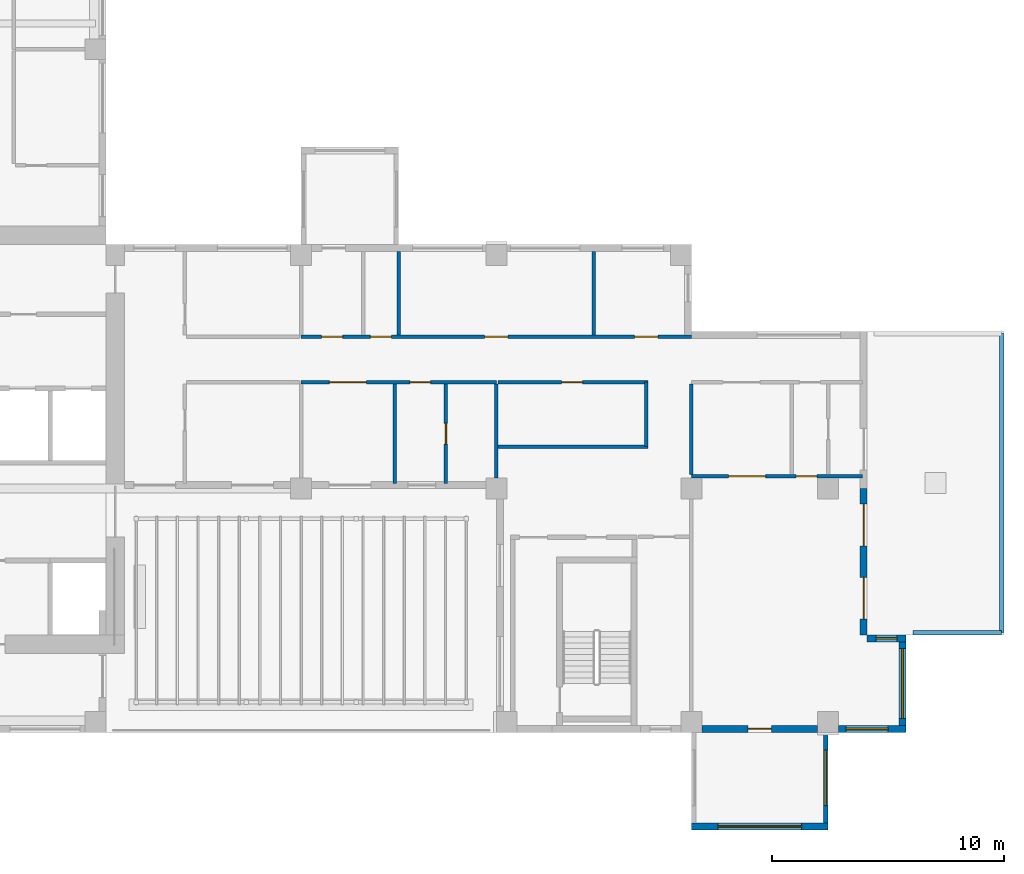
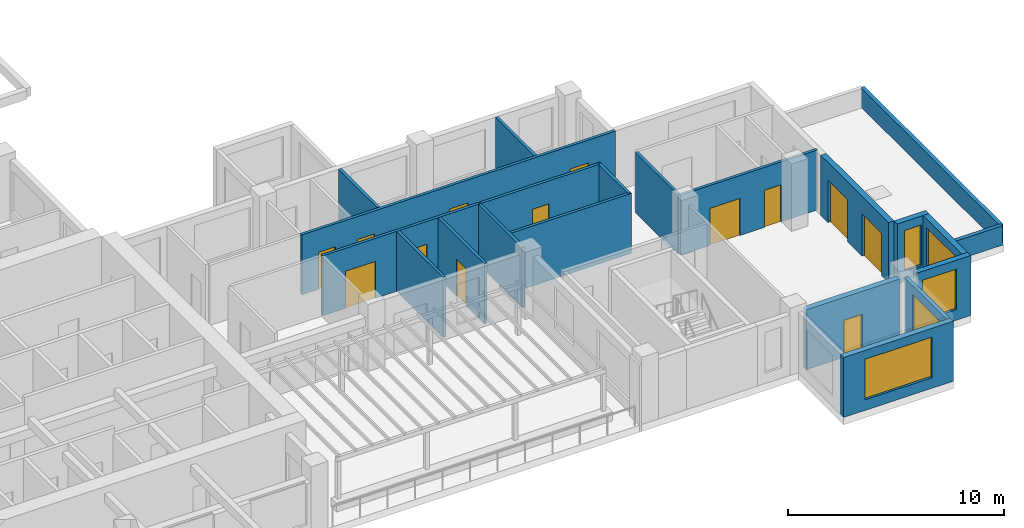
# One storey, part 6 of 13: 21 walls, 13 doors, 5 windows, 18 openings.
"""IFC4 building model written with IfcOpenShell, lengths in metres."""

from ifc_helpers import new_model, si_unit, direction, frame, frame_2d, origin, place, context, subcontext, project, spatial, rectangle, extrude, source, transform, mapped, material, layer, layer_set, type_object, element, fill, save


model = new_model("IFC4")

# Units and contexts
model_context = context("Model", 3, precision=1e-05, world=origin(), true_north=direction((0.0, 1.0)))
body_context = subcontext(model_context, "Body", "Model", "MODEL_VIEW")
ifc_project = project(units=[si_unit("LENGTHUNIT", "METRE"), si_unit("AREAUNIT", "SQUARE_METRE"), si_unit("VOLUMEUNIT", "CUBIC_METRE"), si_unit("PLANEANGLEUNIT", "RADIAN"), si_unit("MASSUNIT", "GRAM", prefix="KILO")], contexts=[model_context])

# Site, building, storey
site_placement = place(None, origin())
site = spatial("IfcSite", under=ifc_project, at=site_placement, CompositionType="ELEMENT")
building_placement = place(site_placement, origin())
building = spatial("IfcBuilding", under=site, at=building_placement, Name="Aurelian Terraces", CompositionType="ELEMENT")
storey_placement = place(building_placement, frame((0.0, 0.0, 204.4)))
storey = spatial("IfcBuildingStorey", under=building, at=storey_placement, Name="L45", CompositionType="ELEMENT", Elevation=204.4)

# Wall, openings, doors
ifc_material_1 = material(Name="Gypsum board on steel studs", Category="steel")
ifc_layer_1 = layer(ifc_material_1, 0.15)
ifc_layer_set_1 = layer_set([ifc_layer_1], Name="Fire partition 150")
wall_type_1 = type_object("IfcWallType", Name="Fire partition 150", PredefinedType="PARTITIONING", material=ifc_layer_set_1)
wall_1_placement = place(storey_placement, frame((29.4, 17.025, 0.0), z_axis=(0.0, 0.0, 1.0), x_axis=(1.0, 0.0, 0.0)))
wall_1 = element("IfcWall", 1, at=wall_1_placement, inside=storey, type_object=wall_type_1, Name="Corridor wall", PredefinedType="PARTITIONING", context=body_context, shape_type="SweptSolid", body=[
    extrude(rectangle(XDim=16.8, YDim=0.15, at=frame_2d((8.4, 0.0))), origin(), (0.0, 0.0, 1.0), 3.4),
])
shared_shape_1 = source(origin(), body_context, "Body", "SweptSolid", [
    extrude(rectangle(XDim=0.9, YDim=2.1, at=frame_2d((0.45, 1.05))), frame((0.0, 0.085, 0.0), z_axis=(0.0, -1.0, 0.0), x_axis=(1.0, 0.0, 0.0)), (0.0, 0.0, 1.0), 0.17),
])
opening_1_placement = place(wall_1_placement, frame((0.8835, 0.0, 0.0)))
opening_1 = element("IfcOpeningElement", 2, at=opening_1_placement, cuts=wall_1, Name="Opening 745011", PredefinedType="OPENING", context=body_context, shape_type="MappedRepresentation", body=[
    mapped(shared_shape_1, transform((0.0, 0.0, 0.0), scale=1.0)),
])
opening_2_placement = place(wall_1_placement, frame((2.9835, 0.0, 0.0)))
opening_2 = element("IfcOpeningElement", 3, at=opening_2_placement, cuts=wall_1, Name="Opening 745012", PredefinedType="OPENING", context=body_context, shape_type="MappedRepresentation", body=[
    mapped(shared_shape_1, transform((0.0, 0.0, 0.0), scale=1.0)),
])
shared_shape_2 = source(origin(), body_context, "Body", "SweptSolid", [
    extrude(rectangle(XDim=1.0, YDim=2.1, at=frame_2d((0.5, 1.05))), frame((0.0, 0.085, 0.0), z_axis=(0.0, -1.0, 0.0), x_axis=(1.0, 0.0, 0.0)), (0.0, 0.0, 1.0), 0.17),
])
opening_3_placement = place(wall_1_placement, frame((7.9, 0.0, 0.0)))
opening_3 = element("IfcOpeningElement", 4, at=opening_3_placement, cuts=wall_1, Name="Opening 745013", PredefinedType="OPENING", context=body_context, shape_type="MappedRepresentation", body=[
    mapped(shared_shape_2, transform((0.0, 0.0, 0.0), scale=1.0)),
])
opening_4_placement = place(wall_1_placement, frame((14.3538, 0.0, 0.0)))
opening_4 = element("IfcOpeningElement", 5, at=opening_4_placement, cuts=wall_1, Name="Opening 745014", PredefinedType="OPENING", context=body_context, shape_type="MappedRepresentation", body=[
    mapped(shared_shape_2, transform((0.0, 0.0, 0.0), scale=1.0)),
])
ifc_material_2 = material(Name="Steel door leaf", Category="steel")
door_type_1 = type_object("IfcDoorType", Name="Entrance fire door 1000x2100 left", OperationType="SINGLE_SWING_LEFT", PredefinedType="DOOR", material=ifc_material_2)
shared_shape_3 = source(origin(), body_context, "Body", "SweptSolid", [
    extrude(rectangle(XDim=1.0, YDim=2.1, at=frame_2d((0.5, 1.05))), frame((0.0, 0.025, 0.0), z_axis=(0.0, -1.0, 0.0), x_axis=(1.0, 0.0, 0.0)), (0.0, 0.0, 1.0), 0.05),
])
door_1_placement = place(opening_3_placement, origin())
door_1 = element("IfcDoor", 6, at=door_1_placement, inside=storey, type_object=door_type_1, Name="Door 745013", OperationType="SINGLE_SWING_LEFT", OverallHeight=2.1, OverallWidth=1.0, PredefinedType="DOOR", context=body_context, shape_type="MappedRepresentation", body=[
    mapped(shared_shape_3, transform((0.0, 0.0, 0.0), scale=1.0)),
])
fill(opening_3, door_1)
door_2_placement = place(opening_4_placement, origin())
door_2 = element("IfcDoor", 7, at=door_2_placement, inside=storey, type_object=door_type_1, Name="Door 745014", OperationType="SINGLE_SWING_LEFT", OverallHeight=2.1, OverallWidth=1.0, PredefinedType="DOOR", context=body_context, shape_type="MappedRepresentation", body=[
    mapped(shared_shape_3, transform((0.0, 0.0, 0.0), scale=1.0)),
])
fill(opening_4, door_2)
door_type_2 = type_object("IfcDoorType", Name="Entrance fire door 900x2100 left", OperationType="SINGLE_SWING_LEFT", PredefinedType="DOOR", material=ifc_material_2)
shared_shape_4 = source(origin(), body_context, "Body", "SweptSolid", [
    extrude(rectangle(XDim=0.9, YDim=2.1, at=frame_2d((0.45, 1.05))), frame((0.0, 0.025, 0.0), z_axis=(0.0, -1.0, 0.0), x_axis=(1.0, 0.0, 0.0)), (0.0, 0.0, 1.0), 0.05),
])
door_3_placement = place(opening_1_placement, origin())
door_3 = element("IfcDoor", 8, at=door_3_placement, inside=storey, type_object=door_type_2, Name="Door 745011", OperationType="SINGLE_SWING_LEFT", OverallHeight=2.1, OverallWidth=0.9, PredefinedType="DOOR", context=body_context, shape_type="MappedRepresentation", body=[
    mapped(shared_shape_4, transform((0.0, 0.0, 0.0), scale=1.0)),
])
fill(opening_1, door_3)
door_type_3 = type_object("IfcDoorType", Name="Entrance fire door 900x2100 right", OperationType="SINGLE_SWING_RIGHT", PredefinedType="DOOR", material=ifc_material_2)
door_4_placement = place(opening_2_placement, origin())
door_4 = element("IfcDoor", 9, at=door_4_placement, inside=storey, type_object=door_type_3, Name="Door 745012", OperationType="SINGLE_SWING_RIGHT", OverallHeight=2.1, OverallWidth=0.9, PredefinedType="DOOR", context=body_context, shape_type="MappedRepresentation", body=[
    mapped(shared_shape_4, transform((0.0, 0.0, 0.0), scale=1.0)),
])
fill(opening_2, door_4)

# Wall
ifc_material_3 = material(Name="Terracotta rainscreen cladding", Category="masonry")
ifc_layer_2 = layer(ifc_material_3, 0.2)
ifc_layer_set_2 = layer_set([ifc_layer_2], Name="PARAPET-200")
wall_type_2 = type_object("IfcWallType", Name="PARAPET-200", PredefinedType="PARAPET", material=ifc_layer_set_2)
wall_2_placement = place(storey_placement, frame((59.55, 17.16, 0.0), z_axis=(0.0, 0.0, 1.0), x_axis=(0.0, -1.0, 0.0)))
element("IfcWall", 10, at=wall_2_placement, inside=storey, type_object=wall_type_2, Name="Parapet L45 L45-X1", PredefinedType="PARAPET", context=body_context, shape_type="SweptSolid", body=[
    extrude(rectangle(XDim=12.87, YDim=0.2, at=frame_2d((6.435, 0.0))), origin(), (0.0, 0.0, 1.0), 1.1),
])

# Wall, openings, doors
ifc_layer_3 = layer(ifc_material_1, 0.15)
ifc_layer_set_3 = layer_set([ifc_layer_3], Name="Partition 150")
wall_type_3 = type_object("IfcWallType", Name="Partition 150", PredefinedType="PARTITIONING", material=ifc_layer_set_3)
wall_3_placement = place(storey_placement, frame((53.555, 11.025, 0.0), z_axis=(0.0, 0.0, 1.0), x_axis=(-1.0, 0.0, 0.0)))
wall_3 = element("IfcWall", 11, at=wall_3_placement, inside=storey, type_object=wall_type_3, Name="Partition", PredefinedType="PARTITIONING", context=body_context, shape_type="SweptSolid", body=[
    extrude(rectangle(XDim=7.355, YDim=0.15, at=frame_2d((3.6775, 0.0))), origin(), (0.0, 0.0, 1.0), 3.4),
])
shared_shape_5 = source(origin(), body_context, "Body", "SweptSolid", [
    extrude(rectangle(XDim=1.6, YDim=2.1, at=frame_2d((0.8, 1.05))), frame((0.0, 0.085, 0.0), z_axis=(0.0, -1.0, 0.0), x_axis=(1.0, 0.0, 0.0)), (0.0, 0.0, 1.0), 0.17),
])
opening_5_placement = place(wall_3_placement, frame((4.1592, 0.0, 0.0)))
opening_5 = element("IfcOpeningElement", 12, at=opening_5_placement, cuts=wall_3, Name="Opening 745008", PredefinedType="OPENING", context=body_context, shape_type="MappedRepresentation", body=[
    mapped(shared_shape_5, transform((0.0, 0.0, 0.0), scale=1.0)),
])
opening_6_placement = place(wall_3_placement, frame((1.9542, 0.0, 0.0)))
opening_6 = element("IfcOpeningElement", 13, at=opening_6_placement, cuts=wall_3, Name="Opening 745009", PredefinedType="OPENING", context=body_context, shape_type="MappedRepresentation", body=[
    mapped(shared_shape_1, transform((0.0, 0.0, 0.0), scale=1.0)),
])
ifc_material_4 = material(Name="Timber door leaf", Category="wood")
door_type_4 = type_object("IfcDoorType", Name="Room door 900x2100 left", OperationType="SINGLE_SWING_LEFT", PredefinedType="DOOR", material=ifc_material_4)
door_5_placement = place(opening_6_placement, origin())
door_5 = element("IfcDoor", 14, at=door_5_placement, inside=storey, type_object=door_type_4, Name="Door 745009", OperationType="SINGLE_SWING_LEFT", OverallHeight=2.1, OverallWidth=0.9, PredefinedType="DOOR", context=body_context, shape_type="MappedRepresentation", body=[
    mapped(shared_shape_4, transform((0.0, 0.0, 0.0), scale=1.0)),
])
fill(opening_6, door_5)
door_type_5 = type_object("IfcDoorType", Name="Room door 1600x2100 right", OperationType="SINGLE_SWING_RIGHT", PredefinedType="DOOR", material=ifc_material_4)
shared_shape_6 = source(origin(), body_context, "Body", "SweptSolid", [
    extrude(rectangle(XDim=1.6, YDim=2.1, at=frame_2d((0.8, 1.05))), frame((0.0, 0.025, 0.0), z_axis=(0.0, -1.0, 0.0), x_axis=(1.0, 0.0, 0.0)), (0.0, 0.0, 1.0), 0.05),
])
door_6_placement = place(opening_5_placement, origin())
door_6 = element("IfcDoor", 15, at=door_6_placement, inside=storey, type_object=door_type_5, Name="Door 745008", OperationType="SINGLE_SWING_RIGHT", OverallHeight=2.1, OverallWidth=1.6, PredefinedType="DOOR", context=body_context, shape_type="MappedRepresentation", body=[
    mapped(shared_shape_6, transform((0.0, 0.0, 0.0), scale=1.0)),
])
fill(opening_5, door_6)

# Wall, opening, window
ifc_layer_4 = layer(ifc_material_3, 0.3)
ifc_layer_set_4 = layer_set([ifc_layer_4], Name="EW-300")
wall_type_4 = type_object("IfcWallType", Name="EW-300", PredefinedType="STANDARD", material=ifc_layer_set_4)
shared_shape_7 = source(origin(), body_context, "Body", "SweptSolid", [
    extrude(rectangle(XDim=2.91, YDim=0.3, at=frame_2d((1.455, 0.0))), origin(), (0.0, 0.0, 1.0), 3.4),
])
wall_4_placement = place(storey_placement, frame((52.53, 0.15, 0.0), z_axis=(0.0, 0.0, 1.0), x_axis=(1.0, 0.0, 0.0)))
wall_4 = element("IfcWall", 16, at=wall_4_placement, inside=storey, type_object=wall_type_4, Name="External wall L45 F05.10", PredefinedType="STANDARD", context=body_context, shape_type="MappedRepresentation", body=[
    mapped(shared_shape_7, transform((0.0, 0.0, 0.0), scale=1.0)),
])
shared_shape_8 = source(origin(), body_context, "Body", "SweptSolid", [
    extrude(rectangle(XDim=1.8, YDim=2.3, at=frame_2d((0.9, 1.15))), frame((0.0, 0.16, 0.0), z_axis=(0.0, -1.0, 0.0), x_axis=(1.0, 0.0, 0.0)), (0.0, 0.0, 1.0), 0.32),
])
opening_7_placement = place(wall_4_placement, frame((0.33, 0.0, 0.6)))
opening_7 = element("IfcOpeningElement", 17, at=opening_7_placement, cuts=wall_4, Name="Opening W1823", PredefinedType="OPENING", context=body_context, shape_type="MappedRepresentation", body=[
    mapped(shared_shape_8, transform((0.0, 0.0, 0.0), scale=1.0)),
])
ifc_material_5 = material(Name="Clear glazing", Category="glass")
window_type_1 = type_object("IfcWindowType", Name="W-1800x2300", PartitioningType="SINGLE_PANEL", PredefinedType="WINDOW", material=ifc_material_5)
shared_shape_9 = source(origin(), body_context, "Body", "SweptSolid", [
    extrude(rectangle(XDim=1.8, YDim=2.3, at=frame_2d((0.9, 1.15))), frame((0.0, 0.03, 0.0), z_axis=(0.0, -1.0, 0.0), x_axis=(1.0, 0.0, 0.0)), (0.0, 0.0, 1.0), 0.06),
])
window_1_placement = place(opening_7_placement, origin())
window_1 = element("IfcWindow", 18, at=window_1_placement, inside=storey, type_object=window_type_1, Name="Window L45 L45-F05-10-0", OverallHeight=2.3, OverallWidth=1.8, PartitioningType="SINGLE_PANEL", PredefinedType="WINDOW", context=body_context, shape_type="MappedRepresentation", body=[
    mapped(shared_shape_9, transform((0.0, 0.0, 0.0), scale=1.0)),
])
fill(opening_7, window_1)

shared_shape_10 = source(origin(), body_context, "Body", "SweptSolid", [
    extrude(rectangle(XDim=4.2, YDim=0.3, at=frame_2d((2.1, 0.0))), origin(), (0.0, 0.0, 1.0), 3.4),
])
wall_5_placement = place(storey_placement, frame((55.29, 0.0, 0.0), z_axis=(0.0, 0.0, 1.0), x_axis=(0.0, 1.0, 0.0)))
wall_5 = element("IfcWall", 19, at=wall_5_placement, inside=storey, type_object=wall_type_4, Name="External wall L45 F06.11", PredefinedType="STANDARD", context=body_context, shape_type="MappedRepresentation", body=[
    mapped(shared_shape_10, transform((0.0, 0.0, 0.0), scale=1.0)),
])
shared_shape_11 = source(origin(), body_context, "Body", "SweptSolid", [
    extrude(rectangle(XDim=3.0, YDim=2.3, at=frame_2d((1.5, 1.15))), frame((0.0, 0.16, 0.0), z_axis=(0.0, -1.0, 0.0), x_axis=(1.0, 0.0, 0.0)), (0.0, 0.0, 1.0), 0.32),
])
opening_8_placement = place(wall_5_placement, frame((0.6, 0.0, 0.6)))
opening_8 = element("IfcOpeningElement", 20, at=opening_8_placement, cuts=wall_5, Name="Opening W3023", PredefinedType="OPENING", context=body_context, shape_type="MappedRepresentation", body=[
    mapped(shared_shape_11, transform((0.0, 0.0, 0.0), scale=1.0)),
])
window_type_2 = type_object("IfcWindowType", Name="W-3000x2300", PartitioningType="SINGLE_PANEL", PredefinedType="WINDOW", material=ifc_material_5)
shared_shape_12 = source(origin(), body_context, "Body", "SweptSolid", [
    extrude(rectangle(XDim=3.0, YDim=2.3, at=frame_2d((1.5, 1.15))), frame((0.0, 0.03, 0.0), z_axis=(0.0, -1.0, 0.0), x_axis=(1.0, 0.0, 0.0)), (0.0, 0.0, 1.0), 0.06),
])
window_2_placement = place(opening_8_placement, origin())
window_2 = element("IfcWindow", 21, at=window_2_placement, inside=storey, type_object=window_type_2, Name="Window L45 L45-F06-11-0", OverallHeight=2.3, OverallWidth=3.0, PartitioningType="SINGLE_PANEL", PredefinedType="WINDOW", context=body_context, shape_type="MappedRepresentation", body=[
    mapped(shared_shape_12, transform((0.0, 0.0, 0.0), scale=1.0)),
])
fill(opening_8, window_2)

shared_shape_13 = source(origin(), body_context, "Body", "SweptSolid", [
    extrude(rectangle(XDim=1.68, YDim=0.3, at=frame_2d((0.84, 0.0))), origin(), (0.0, 0.0, 1.0), 3.4),
])
wall_6_placement = place(storey_placement, frame((55.44, 4.05, 0.0), z_axis=(0.0, 0.0, 1.0), x_axis=(-1.0, 0.0, 0.0)))
wall_6 = element("IfcWall", 22, at=wall_6_placement, inside=storey, type_object=wall_type_4, Name="External wall L45 F07.12", PredefinedType="STANDARD", context=body_context, shape_type="MappedRepresentation", body=[
    mapped(shared_shape_13, transform((0.0, 0.0, 0.0), scale=1.0)),
])
shared_shape_14 = source(origin(), body_context, "Body", "SweptSolid", [
    extrude(rectangle(XDim=0.9, YDim=2.3, at=frame_2d((0.45, 1.15))), frame((0.0, 0.16, 0.0), z_axis=(0.0, -1.0, 0.0), x_axis=(1.0, 0.0, 0.0)), (0.0, 0.0, 1.0), 0.32),
])
opening_9_placement = place(wall_6_placement, frame((0.39, 0.0, 0.6)))
opening_9 = element("IfcOpeningElement", 23, at=opening_9_placement, cuts=wall_6, Name="Opening W0923", PredefinedType="OPENING", context=body_context, shape_type="MappedRepresentation", body=[
    mapped(shared_shape_14, transform((0.0, 0.0, 0.0), scale=1.0)),
])
window_type_3 = type_object("IfcWindowType", Name="W-900x2300", PartitioningType="SINGLE_PANEL", PredefinedType="WINDOW", material=ifc_material_5)
shared_shape_15 = source(origin(), body_context, "Body", "SweptSolid", [
    extrude(rectangle(XDim=0.9, YDim=2.3, at=frame_2d((0.45, 1.15))), frame((0.0, 0.03, 0.0), z_axis=(0.0, -1.0, 0.0), x_axis=(1.0, 0.0, 0.0)), (0.0, 0.0, 1.0), 0.06),
])
window_3_placement = place(opening_9_placement, origin())
window_3 = element("IfcWindow", 24, at=window_3_placement, inside=storey, type_object=window_type_3, Name="Window L45 L45-F07-12-P0", OverallHeight=2.3, OverallWidth=0.9, PartitioningType="SINGLE_PANEL", PredefinedType="WINDOW", context=body_context, shape_type="MappedRepresentation", body=[
    mapped(shared_shape_15, transform((0.0, 0.0, 0.0), scale=1.0)),
])
fill(opening_9, window_3)

ifc_material_6 = material(Name="Concrete fc' 40 MPa", Category="concrete")
ifc_layer_5 = layer(ifc_material_6, 0.2)
ifc_layer_set_5 = layer_set([ifc_layer_5], Name="BOX BEARING WALL 200")
wall_type_5 = type_object("IfcWallType", Name="BOX BEARING WALL 200", PredefinedType="SOLIDWALL", material=ifc_layer_set_5)
shared_shape_16 = source(origin(), body_context, "Body", "SweptSolid", [
    extrude(rectangle(XDim=3.9, YDim=0.2, at=frame_2d((1.95, 0.0))), origin(), (0.0, 0.0, 1.0), 3.4),
])
wall_7_placement = place(storey_placement, frame((51.98, 0.0, 0.0), z_axis=(0.0, 0.0, 1.0), x_axis=(0.0, -1.0, 0.0)))
wall_7 = element("IfcWall", 25, at=wall_7_placement, inside=storey, type_object=wall_type_5, Name="Box return L45 J62.2", PredefinedType="SOLIDWALL", context=body_context, shape_type="MappedRepresentation", body=[
    mapped(shared_shape_16, transform((0.0, 0.0, 0.0), scale=1.0)),
])
shared_shape_17 = source(origin(), body_context, "Body", "SweptSolid", [
    extrude(rectangle(XDim=2.4, YDim=2.3, at=frame_2d((1.2, 1.15))), frame((0.0, 0.11, 0.0), z_axis=(0.0, -1.0, 0.0), x_axis=(1.0, 0.0, 0.0)), (0.0, 0.0, 1.0), 0.22),
])
opening_10_placement = place(wall_7_placement, frame((0.75, 0.0, 0.6)))
opening_10 = element("IfcOpeningElement", 26, at=opening_10_placement, cuts=wall_7, Name="Opening W2423", PredefinedType="OPENING", context=body_context, shape_type="MappedRepresentation", body=[
    mapped(shared_shape_17, transform((0.0, 0.0, 0.0), scale=1.0)),
])
window_type_4 = type_object("IfcWindowType", Name="W-2400x2300", PartitioningType="SINGLE_PANEL", PredefinedType="WINDOW", material=ifc_material_5)
shared_shape_18 = source(origin(), body_context, "Body", "SweptSolid", [
    extrude(rectangle(XDim=2.4, YDim=2.3, at=frame_2d((1.2, 1.15))), frame((0.0, 0.03, 0.0), z_axis=(0.0, -1.0, 0.0), x_axis=(1.0, 0.0, 0.0)), (0.0, 0.0, 1.0), 0.06),
])
window_4_placement = place(opening_10_placement, origin())
window_4 = element("IfcWindow", 27, at=window_4_placement, inside=storey, type_object=window_type_4, Name="Window L45 J62-S2", OverallHeight=2.3, OverallWidth=2.4, PartitioningType="SINGLE_PANEL", PredefinedType="WINDOW", context=body_context, shape_type="MappedRepresentation", body=[
    mapped(shared_shape_18, transform((0.0, 0.0, 0.0), scale=1.0)),
])
fill(opening_10, window_4)

# Wall, opening, door
shared_shape_19 = source(origin(), body_context, "Body", "SweptSolid", [
    extrude(rectangle(XDim=4.98, YDim=0.3, at=frame_2d((2.49, 0.0))), origin(), (0.0, 0.0, 1.0), 3.4),
])
wall_8_placement = place(storey_placement, frame((46.65, 0.15, 0.0), z_axis=(0.0, 0.0, 1.0), x_axis=(1.0, 0.0, 0.0)))
wall_8 = element("IfcWall", 28, at=wall_8_placement, inside=storey, type_object=wall_type_4, Name="External wall L45 F05.9", PredefinedType="STANDARD", context=body_context, shape_type="MappedRepresentation", body=[
    mapped(shared_shape_19, transform((0.0, 0.0, 0.0), scale=1.0)),
])
shared_shape_20 = source(origin(), body_context, "Body", "SweptSolid", [
    extrude(rectangle(XDim=1.0, YDim=2.1, at=frame_2d((0.5, 1.05))), frame((0.0, 0.16, 0.0), z_axis=(0.0, -1.0, 0.0), x_axis=(1.0, 0.0, 0.0)), (0.0, 0.0, 1.0), 0.32),
])
opening_11_placement = place(wall_8_placement, frame((1.99, 0.0, 0.0)))
opening_11 = element("IfcOpeningElement", 29, at=opening_11_placement, cuts=wall_8, Name="Opening 845001", PredefinedType="OPENING", context=body_context, shape_type="MappedRepresentation", body=[
    mapped(shared_shape_20, transform((0.0, 0.0, 0.0), scale=1.0)),
])
door_type_6 = type_object("IfcDoorType", Name="Room door 1000x2100 left", OperationType="SINGLE_SWING_LEFT", PredefinedType="DOOR", material=ifc_material_4)
door_7_placement = place(opening_11_placement, origin())
door_7 = element("IfcDoor", 30, at=door_7_placement, inside=storey, type_object=door_type_6, Name="Door 845001", OperationType="SINGLE_SWING_LEFT", OverallHeight=2.1, OverallWidth=1.0, PredefinedType="DOOR", context=body_context, shape_type="MappedRepresentation", body=[
    mapped(shared_shape_3, transform((0.0, 0.0, 0.0), scale=1.0)),
])
fill(opening_11, door_7)

# Wall, openings, doors
shared_shape_21 = source(origin(), body_context, "Body", "SweptSolid", [
    extrude(rectangle(XDim=6.3, YDim=0.3, at=frame_2d((3.15, 0.0))), origin(), (0.0, 0.0, 1.0), 3.4),
])
wall_9_placement = place(storey_placement, frame((53.61, 4.2, 0.0), z_axis=(0.0, 0.0, 1.0), x_axis=(0.0, 1.0, 0.0)))
wall_9 = element("IfcWall", 31, at=wall_9_placement, inside=storey, type_object=wall_type_4, Name="External wall L45 F08.13", PredefinedType="STANDARD", context=body_context, shape_type="MappedRepresentation", body=[
    mapped(shared_shape_21, transform((0.0, 0.0, 0.0), scale=1.0)),
])
shared_shape_22 = source(origin(), body_context, "Body", "SweptSolid", [
    extrude(rectangle(XDim=1.8, YDim=2.4, at=frame_2d((0.9, 1.2))), frame((0.0, 0.16, 0.0), z_axis=(0.0, -1.0, 0.0), x_axis=(1.0, 0.0, 0.0)), (0.0, 0.0, 1.0), 0.32),
])
opening_12_placement = place(wall_9_placement, frame((0.675, 0.0, 0.0)))
opening_12 = element("IfcOpeningElement", 32, at=opening_12_placement, cuts=wall_9, Name="Opening 84505", PredefinedType="OPENING", context=body_context, shape_type="MappedRepresentation", body=[
    mapped(shared_shape_22, transform((0.0, 0.0, 0.0), scale=1.0)),
])
opening_13_placement = place(wall_9_placement, frame((3.825, 0.0, 0.0)))
opening_13 = element("IfcOpeningElement", 33, at=opening_13_placement, cuts=wall_9, Name="Opening 84506", PredefinedType="OPENING", context=body_context, shape_type="MappedRepresentation", body=[
    mapped(shared_shape_22, transform((0.0, 0.0, 0.0), scale=1.0)),
])
door_type_7 = type_object("IfcDoorType", Name="BD-1800x2400", OperationType="SLIDING_TO_LEFT", PredefinedType="DOOR", material=ifc_material_5)
shared_shape_23 = source(origin(), body_context, "Body", "SweptSolid", [
    extrude(rectangle(XDim=1.8, YDim=2.4, at=frame_2d((0.9, 1.2))), frame((0.0, 0.025, 0.0), z_axis=(0.0, -1.0, 0.0), x_axis=(1.0, 0.0, 0.0)), (0.0, 0.0, 1.0), 0.05),
])
door_8_placement = place(opening_12_placement, origin())
door_8 = element("IfcDoor", 34, at=door_8_placement, inside=storey, type_object=door_type_7, Name="Terrace door L45 L45-F08-13.1", OperationType="SLIDING_TO_LEFT", OverallHeight=2.4, OverallWidth=1.8, PredefinedType="DOOR", context=body_context, shape_type="MappedRepresentation", body=[
    mapped(shared_shape_23, transform((0.0, 0.0, 0.0), scale=1.0)),
])
fill(opening_12, door_8)
door_9_placement = place(opening_13_placement, origin())
door_9 = element("IfcDoor", 35, at=door_9_placement, inside=storey, type_object=door_type_7, Name="Terrace door L45 L45-F08-13.2", OperationType="SLIDING_TO_LEFT", OverallHeight=2.4, OverallWidth=1.8, PredefinedType="DOOR", context=body_context, shape_type="MappedRepresentation", body=[
    mapped(shared_shape_23, transform((0.0, 0.0, 0.0), scale=1.0)),
])
fill(opening_13, door_9)

# Wall, opening, window
ifc_layer_6 = layer(ifc_material_6, 0.3)
ifc_layer_set_6 = layer_set([ifc_layer_6], Name="BOX BEARING WALL 300")
wall_type_6 = type_object("IfcWallType", Name="BOX BEARING WALL 300", PredefinedType="SOLIDWALL", material=ifc_layer_set_6)
shared_shape_24 = source(origin(), body_context, "Body", "SweptSolid", [
    extrude(rectangle(XDim=5.88, YDim=0.3, at=frame_2d((2.94, 0.0))), origin(), (0.0, 0.0, 1.0), 3.4),
])
wall_10_placement = place(storey_placement, frame((46.2, -4.05, 0.0), z_axis=(0.0, 0.0, 1.0), x_axis=(1.0, 0.0, 0.0)))
wall_10 = element("IfcWall", 36, at=wall_10_placement, inside=storey, type_object=wall_type_6, Name="Box wall L45 J62", PredefinedType="SOLIDWALL", context=body_context, shape_type="MappedRepresentation", body=[
    mapped(shared_shape_24, transform((0.0, 0.0, 0.0), scale=1.0)),
])
shared_shape_25 = source(origin(), body_context, "Body", "SweptSolid", [
    extrude(rectangle(XDim=3.6, YDim=2.3, at=frame_2d((1.8, 1.15))), frame((0.0, 0.16, 0.0), z_axis=(0.0, -1.0, 0.0), x_axis=(1.0, 0.0, 0.0)), (0.0, 0.0, 1.0), 0.32),
])
opening_14_placement = place(wall_10_placement, frame((1.14, 0.0, 0.6)))
opening_14 = element("IfcOpeningElement", 37, at=opening_14_placement, cuts=wall_10, Name="Opening W3623", PredefinedType="OPENING", context=body_context, shape_type="MappedRepresentation", body=[
    mapped(shared_shape_25, transform((0.0, 0.0, 0.0), scale=1.0)),
])
window_type_5 = type_object("IfcWindowType", Name="W-3600x2300", PartitioningType="SINGLE_PANEL", PredefinedType="WINDOW", material=ifc_material_5)
shared_shape_26 = source(origin(), body_context, "Body", "SweptSolid", [
    extrude(rectangle(XDim=3.6, YDim=2.3, at=frame_2d((1.8, 1.15))), frame((0.0, 0.03, 0.0), z_axis=(0.0, -1.0, 0.0), x_axis=(1.0, 0.0, 0.0)), (0.0, 0.0, 1.0), 0.06),
])
window_5_placement = place(opening_14_placement, origin())
window_5 = element("IfcWindow", 38, at=window_5_placement, inside=storey, type_object=window_type_5, Name="Window L45 J62-F1", OverallHeight=2.3, OverallWidth=3.6, PartitioningType="SINGLE_PANEL", PredefinedType="WINDOW", context=body_context, shape_type="MappedRepresentation", body=[
    mapped(shared_shape_26, transform((0.0, 0.0, 0.0), scale=1.0)),
])
fill(opening_14, window_5)

# Walls
shared_shape_27 = source(origin(), body_context, "Body", "SweptSolid", [
    extrude(rectangle(XDim=3.824, YDim=0.2, at=frame_2d((1.912, 0.0))), origin(), (0.0, 0.0, 1.0), 1.1),
])
wall_11_placement = place(storey_placement, frame((59.55, 4.29, 0.0), z_axis=(0.0, 0.0, 1.0), x_axis=(-1.0, 0.0, 0.0)))
element("IfcWall", 39, at=wall_11_placement, inside=storey, type_object=wall_type_2, Name="Parapet L45 L45-X1", PredefinedType="PARAPET", context=body_context, shape_type="MappedRepresentation", body=[
    mapped(shared_shape_27, transform((0.0, 0.0, 0.0), scale=1.0)),
])
shared_shape_28 = source(origin(), body_context, "Body", "SweptSolid", [
    extrude(rectangle(XDim=6.45, YDim=0.15, at=frame_2d((3.225, 0.0))), origin(), (0.0, 0.0, 1.0), 3.4),
])
wall_12_placement = place(storey_placement, frame((37.875, 12.3, 0.0), z_axis=(0.0, 0.0, 1.0), x_axis=(1.0, 0.0, 0.0)))
element("IfcWall", 40, at=wall_12_placement, inside=storey, type_object=wall_type_3, Name="Partition", PredefinedType="PARTITIONING", context=body_context, shape_type="MappedRepresentation", body=[
    mapped(shared_shape_28, transform((0.0, 0.0, 0.0), scale=1.0)),
])

# Wall, opening, door
wall_13_placement = place(storey_placement, frame((44.325, 15.075, 0.0), z_axis=(0.0, 0.0, 1.0), x_axis=(-1.0, 0.0, 0.0)))
wall_13 = element("IfcWall", 41, at=wall_13_placement, inside=storey, type_object=wall_type_1, Name="Corridor wall", PredefinedType="PARTITIONING", context=body_context, shape_type="MappedRepresentation", body=[
    mapped(shared_shape_28, transform((0.0, 0.0, 0.0), scale=1.0)),
])
opening_15_placement = place(wall_13_placement, frame((2.8125, 0.0, 0.0)))
opening_15 = element("IfcOpeningElement", 42, at=opening_15_placement, cuts=wall_13, Name="Opening 745003", PredefinedType="OPENING", context=body_context, shape_type="MappedRepresentation", body=[
    mapped(shared_shape_1, transform((0.0, 0.0, 0.0), scale=1.0)),
])
door_type_8 = type_object("IfcDoorType", Name="Room door 900x2100 right", OperationType="SINGLE_SWING_RIGHT", PredefinedType="DOOR", material=ifc_material_4)
door_10_placement = place(opening_15_placement, origin())
door_10 = element("IfcDoor", 43, at=door_10_placement, inside=storey, type_object=door_type_8, Name="Door 745003", OperationType="SINGLE_SWING_RIGHT", OverallHeight=2.1, OverallWidth=0.9, PredefinedType="DOOR", context=body_context, shape_type="MappedRepresentation", body=[
    mapped(shared_shape_4, transform((0.0, 0.0, 0.0), scale=1.0)),
])
fill(opening_15, door_10)

# Walls
shared_shape_29 = source(origin(), body_context, "Body", "SweptSolid", [
    extrude(rectangle(XDim=3.9, YDim=0.15, at=frame_2d((1.95, 0.0))), origin(), (0.0, 0.0, 1.0), 3.4),
])
wall_14_placement = place(storey_placement, frame((46.2, 11.1, 0.0), z_axis=(0.0, 0.0, 1.0), x_axis=(0.0, 1.0, 0.0)))
element("IfcWall", 44, at=wall_14_placement, inside=storey, type_object=wall_type_1, Name="Party wall", PredefinedType="PARTITIONING", context=body_context, shape_type="MappedRepresentation", body=[
    mapped(shared_shape_29, transform((0.0, 0.0, 0.0), scale=1.0)),
])
shared_shape_30 = source(origin(), body_context, "Body", "SweptSolid", [
    extrude(rectangle(XDim=3.6, YDim=0.15, at=frame_2d((1.8, 0.0))), origin(), (0.0, 0.0, 1.0), 3.4),
])
for number, where, z_axis, x_axis, name in (
    (45, (33.6, 17.1, 0.0), (0.0, 0.0, 1.0), (0.0, 1.0, 0.0), "Party wall"),
    (46, (42.0, 17.1, 0.0), (0.0, 0.0, 1.0), (0.0, 1.0, 0.0), "Party wall"),
):
    element("IfcWall", number, at=place(storey_placement, frame(where, z_axis=z_axis, x_axis=x_axis)), inside=storey, type_object=wall_type_1, Name=name, PredefinedType="PARTITIONING", context=body_context, shape_type="MappedRepresentation", body=[
        mapped(shared_shape_30, transform((0.0, 0.0, 0.0), scale=1.0)),
    ])

# Wall, openings, doors
shared_shape_31 = source(origin(), body_context, "Body", "SweptSolid", [
    extrude(rectangle(XDim=8.4, YDim=0.15, at=frame_2d((4.2, 0.0))), origin(), (0.0, 0.0, 1.0), 3.4),
])
wall_15_placement = place(storey_placement, frame((37.8, 15.075, 0.0), z_axis=(0.0, 0.0, 1.0), x_axis=(-1.0, 0.0, 0.0)))
wall_15 = element("IfcWall", 47, at=wall_15_placement, inside=storey, type_object=wall_type_1, Name="Corridor wall", PredefinedType="PARTITIONING", context=body_context, shape_type="MappedRepresentation", body=[
    mapped(shared_shape_31, transform((0.0, 0.0, 0.0), scale=1.0)),
])
opening_16_placement = place(wall_15_placement, frame((5.5888, 0.0, 0.0)))
opening_16 = element("IfcOpeningElement", 48, at=opening_16_placement, cuts=wall_15, Name="Opening 745005", PredefinedType="OPENING", context=body_context, shape_type="MappedRepresentation", body=[
    mapped(shared_shape_5, transform((0.0, 0.0, 0.0), scale=1.0)),
])
opening_17_placement = place(wall_15_placement, frame((2.8224, 0.0, 0.0)))
opening_17 = element("IfcOpeningElement", 49, at=opening_17_placement, cuts=wall_15, Name="Opening 745006", PredefinedType="OPENING", context=body_context, shape_type="MappedRepresentation", body=[
    mapped(shared_shape_1, transform((0.0, 0.0, 0.0), scale=1.0)),
])
door_11_placement = place(opening_17_placement, origin())
door_11 = element("IfcDoor", 50, at=door_11_placement, inside=storey, type_object=door_type_2, Name="Door 745006", OperationType="SINGLE_SWING_LEFT", OverallHeight=2.1, OverallWidth=0.9, PredefinedType="DOOR", context=body_context, shape_type="MappedRepresentation", body=[
    mapped(shared_shape_4, transform((0.0, 0.0, 0.0), scale=1.0)),
])
fill(opening_17, door_11)
door_type_9 = type_object("IfcDoorType", Name="Entrance fire door 1600x2100 left", OperationType="SINGLE_SWING_LEFT", PredefinedType="DOOR", material=ifc_material_2)
door_12_placement = place(opening_16_placement, origin())
door_12 = element("IfcDoor", 51, at=door_12_placement, inside=storey, type_object=door_type_9, Name="Door 745005", OperationType="SINGLE_SWING_LEFT", OverallHeight=2.1, OverallWidth=1.6, PredefinedType="DOOR", context=body_context, shape_type="MappedRepresentation", body=[
    mapped(shared_shape_6, transform((0.0, 0.0, 0.0), scale=1.0)),
])
fill(opening_16, door_12)

# Walls
shared_shape_32 = source(origin(), body_context, "Body", "SweptSolid", [
    extrude(rectangle(XDim=4.051, YDim=0.15, at=frame_2d((2.0255, 0.0))), origin(), (0.0, 0.0, 1.0), 3.4),
])
wall_16_placement = place(storey_placement, frame((37.8, 10.949, 0.0), z_axis=(0.0, 0.0, 1.0), x_axis=(0.0, 1.0, 0.0)))
element("IfcWall", 52, at=wall_16_placement, inside=storey, type_object=wall_type_1, Name="Party wall", PredefinedType="PARTITIONING", context=body_context, shape_type="MappedRepresentation", body=[
    mapped(shared_shape_32, transform((0.0, 0.0, 0.0), scale=1.0)),
])
shared_shape_33 = source(origin(), body_context, "Body", "SweptSolid", [
    extrude(rectangle(XDim=4.295, YDim=0.15, at=frame_2d((2.1475, 0.0))), origin(), (0.0, 0.0, 1.0), 3.4),
])
wall_17_placement = place(storey_placement, frame((33.4224, 10.705, 0.0), z_axis=(0.0, 0.0, 1.0), x_axis=(0.0, 1.0, 0.0)))
element("IfcWall", 53, at=wall_17_placement, inside=storey, type_object=wall_type_3, Name="Partition", PredefinedType="PARTITIONING", context=body_context, shape_type="MappedRepresentation", body=[
    mapped(shared_shape_33, transform((0.0, 0.0, 0.0), scale=1.0)),
])

# Wall, opening, door
wall_18_placement = place(storey_placement, frame((35.6329, 10.705, 0.0), z_axis=(0.0, 0.0, 1.0), x_axis=(0.0, 1.0, 0.0)))
wall_18 = element("IfcWall", 54, at=wall_18_placement, inside=storey, type_object=wall_type_3, Name="Partition", PredefinedType="PARTITIONING", context=body_context, shape_type="MappedRepresentation", body=[
    mapped(shared_shape_33, transform((0.0, 0.0, 0.0), scale=1.0)),
])
opening_18_placement = place(wall_18_placement, frame((1.6975, 0.0, 0.0)))
opening_18 = element("IfcOpeningElement", 55, at=opening_18_placement, cuts=wall_18, Name="Opening 745034", PredefinedType="OPENING", context=body_context, shape_type="MappedRepresentation", body=[
    mapped(shared_shape_1, transform((0.0, 0.0, 0.0), scale=1.0)),
])
door_13_placement = place(opening_18_placement, origin())
door_13 = element("IfcDoor", 56, at=door_13_placement, inside=storey, type_object=door_type_4, Name="Door 745034", OperationType="SINGLE_SWING_LEFT", OverallHeight=2.1, OverallWidth=0.9, PredefinedType="DOOR", context=body_context, shape_type="MappedRepresentation", body=[
    mapped(shared_shape_4, transform((0.0, 0.0, 0.0), scale=1.0)),
])
fill(opening_18, door_13)

# Wall
shared_shape_34 = source(origin(), body_context, "Body", "SweptSolid", [
    extrude(rectangle(XDim=2.775, YDim=0.15, at=frame_2d((1.3875, 0.0))), origin(), (0.0, 0.0, 1.0), 3.4),
])
wall_19_placement = place(storey_placement, frame((44.25, 12.3, 0.0), z_axis=(0.0, 0.0, 1.0), x_axis=(0.0, 1.0, 0.0)))
element("IfcWall", 57, at=wall_19_placement, inside=storey, type_object=wall_type_3, Name="Partition", PredefinedType="PARTITIONING", context=body_context, shape_type="MappedRepresentation", body=[
    mapped(shared_shape_34, transform((0.0, 0.0, 0.0), scale=1.0)),
])

save(model, "model.ifc")
